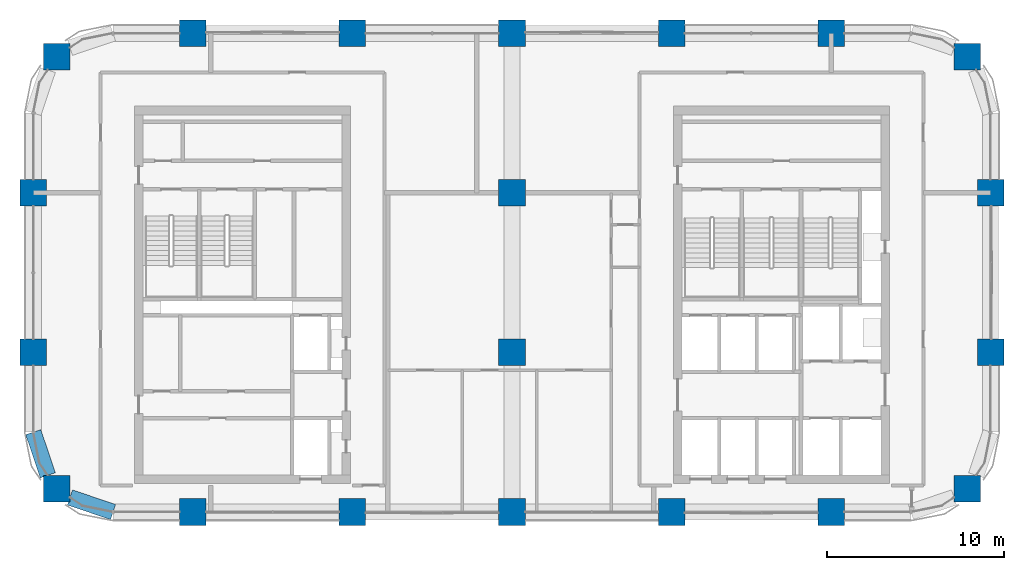
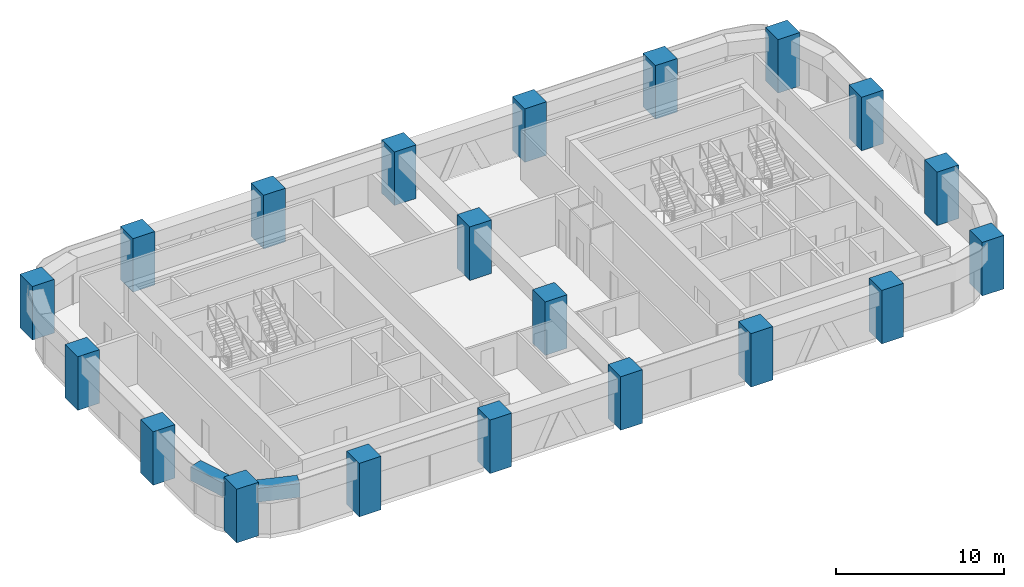
# One storey, part 1 of 19: 20 columns, 2 beams.
"""IFC4 building model written with IfcOpenShell, lengths in metres."""

from ifc_helpers import new_model, si_unit, direction, frame, origin, origin_2d, place, context, subcontext, project, spatial, rectangle, extrude, material, material_profile, profile_set, type_object, element, save


model = new_model("IFC4")

# Units and contexts
model_context = context("Model", 3, precision=1e-05, world=origin(), true_north=direction((0.0, 1.0)))
body_context = subcontext(model_context, "Body", "Model", "MODEL_VIEW")
ifc_project = project(units=[si_unit("LENGTHUNIT", "METRE"), si_unit("AREAUNIT", "SQUARE_METRE"), si_unit("VOLUMEUNIT", "CUBIC_METRE"), si_unit("PLANEANGLEUNIT", "RADIAN"), si_unit("MASSUNIT", "GRAM", prefix="KILO")], contexts=[model_context])

# Site, building, storey
site_placement = place(None, origin())
site = spatial("IfcSite", under=ifc_project, at=site_placement, CompositionType="ELEMENT")
building_placement = place(site_placement, origin())
building = spatial("IfcBuilding", under=site, at=building_placement, Name="Tessera Arch", CompositionType="ELEMENT")
storey_placement = place(building_placement, frame((0.0, 0.0, 170.0)))
storey = spatial("IfcBuildingStorey", under=building, at=storey_placement, Name="L40", CompositionType="ELEMENT", Elevation=170.0)

# Columns
ifc_material_1 = material(Name="Concrete C70/85", Category="concrete")
ifc_material_profile_1 = material_profile(ifc_material_1, rectangle(XDim=1.5, YDim=1.5, at=origin_2d()), Name="RC column 1500 x 1500 Concrete C70/85")
ifc_profile_set_1 = profile_set([ifc_material_profile_1], Name="Concrete C70/85")
column_type = type_object("IfcColumnType", Name="RC column 1500 x 1500 Concrete C70/85", PredefinedType="COLUMN", material=ifc_profile_set_1)
for number, where, z_axis, x_axis, name in (
    (1, (1.318115234375, 28.318115234375, 0.0), (0.0, 0.0, 1.0), (1.0, 0.0, 0.0), "Column C1D L40"),
    (2, (0.0, 36.0, 0.0), (0.0, 0.0, 1.0), (1.0, 0.0, 0.0), "Column C1E L40"),
    (3, (0.0, 45.0, 0.0), (0.0, 0.0, 1.0), (1.0, 0.0, 0.0), "Column C1F L40"),
    (4, (1.318115234375, 52.681884765625, 0.0), (0.0, 0.0, 1.0), (1.0, 0.0, 0.0), "Column C1G L40"),
    (5, (9.0, 27.0, 0.0), (0.0, 0.0, 1.0), (1.0, 0.0, 0.0), "Column C2D L40"),
    (6, (9.0, 54.0, 0.0), (0.0, 0.0, 1.0), (1.0, 0.0, 0.0), "Column C2G L40"),
    (7, (18.0, 27.0, 0.0), (0.0, 0.0, 1.0), (1.0, 0.0, 0.0), "Column C3D L40"),
    (8, (18.0, 54.0, 0.0), (0.0, 0.0, 1.0), (1.0, 0.0, 0.0), "Column C3G L40"),
    (9, (27.0, 27.0, 0.0), (0.0, 0.0, 1.0), (1.0, 0.0, 0.0), "Column C4D L40"),
    (10, (27.0, 36.0, 0.0), (0.0, 0.0, 1.0), (1.0, 0.0, 0.0), "Column C4E L40"),
    (11, (27.0, 45.0, 0.0), (0.0, 0.0, 1.0), (1.0, 0.0, 0.0), "Column C4F L40"),
    (12, (27.0, 54.0, 0.0), (0.0, 0.0, 1.0), (1.0, 0.0, 0.0), "Column C4G L40"),
    (13, (36.0, 27.0, 0.0), (0.0, 0.0, 1.0), (1.0, 0.0, 0.0), "Column C5D L40"),
    (14, (36.0, 54.0, 0.0), (0.0, 0.0, 1.0), (1.0, 0.0, 0.0), "Column C5G L40"),
    (15, (45.0, 27.0, 0.0), (0.0, 0.0, 1.0), (1.0, 0.0, 0.0), "Column C6D L40"),
    (16, (45.0, 54.0, 0.0), (0.0, 0.0, 1.0), (1.0, 0.0, 0.0), "Column C6G L40"),
    (17, (52.681884765625, 28.318115234375, 0.0), (0.0, 0.0, 1.0), (1.0, 0.0, 0.0), "Column C7D L40"),
    (18, (54.0, 36.0, 0.0), (0.0, 0.0, 1.0), (1.0, 0.0, 0.0), "Column C7E L40"),
    (19, (54.0, 45.0, 0.0), (0.0, 0.0, 1.0), (1.0, 0.0, 0.0), "Column C7F L40"),
    (20, (52.681884765625, 52.681884765625, 0.0), (0.0, 0.0, 1.0), (1.0, 0.0, 0.0), "Column C7G L40"),
):
    element("IfcColumn", number, at=place(storey_placement, frame(where, z_axis=z_axis, x_axis=x_axis)), inside=storey, type_object=column_type, Name=name, PredefinedType="COLUMN", context=body_context, shape_type="SweptSolid", body=[
        extrude(rectangle(XDim=1.5, YDim=1.5, at=origin_2d()), origin(), (0.0, 0.0, 1.0), 3.89990234375),
    ])

# Beams
ifc_material_2 = material(Name="Concrete C70/85", Category="concrete")
ifc_material_profile_2 = material_profile(ifc_material_2, rectangle(XDim=0.89990234375, YDim=1.0, at=origin_2d()), Name="RC spandrel beam 900 x 1000 Concrete C70/85")
ifc_profile_set_2 = profile_set([ifc_material_profile_2], Name="Concrete C70/85")
beam_type = type_object("IfcBeamType", Name="RC spandrel beam 900 x 1000 Concrete C70/85", PredefinedType="BEAM", material=ifc_profile_set_2)
for number, where, z_axis, x_axis, name in (
    (21, (0.0, 31.5, 3.10009765625), (0.31842525032, -0.947947973234, 0.0), (0.947947973234, 0.31842525032, 0.0), "Spandrel beam L40 W0.27/2.2"),
    (22, (2.068115234375, 27.81689453125, 3.10009765625), (0.947947973234, -0.31842525032, 0.0), (0.31842525032, 0.947947973234, 0.0), "Spandrel beam L40 S27.0/0.1"),
):
    element("IfcBeam", number, at=place(storey_placement, frame(where, z_axis=z_axis, x_axis=x_axis)), inside=storey, type_object=beam_type, Name=name, PredefinedType="BEAM", context=body_context, shape_type="SweptSolid", body=[
        extrude(rectangle(XDim=0.89990234375, YDim=1.0, at=origin_2d()), origin(), (0.0, 0.0, 1.0), 2.5654296875),
    ])

save(model, "model.ifc")
